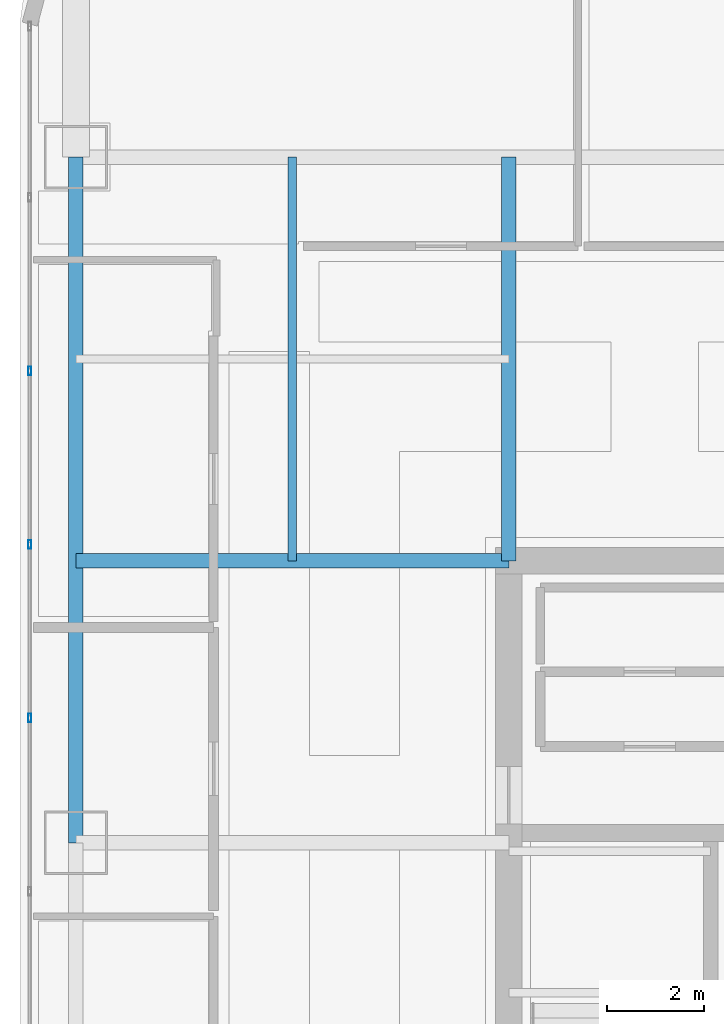
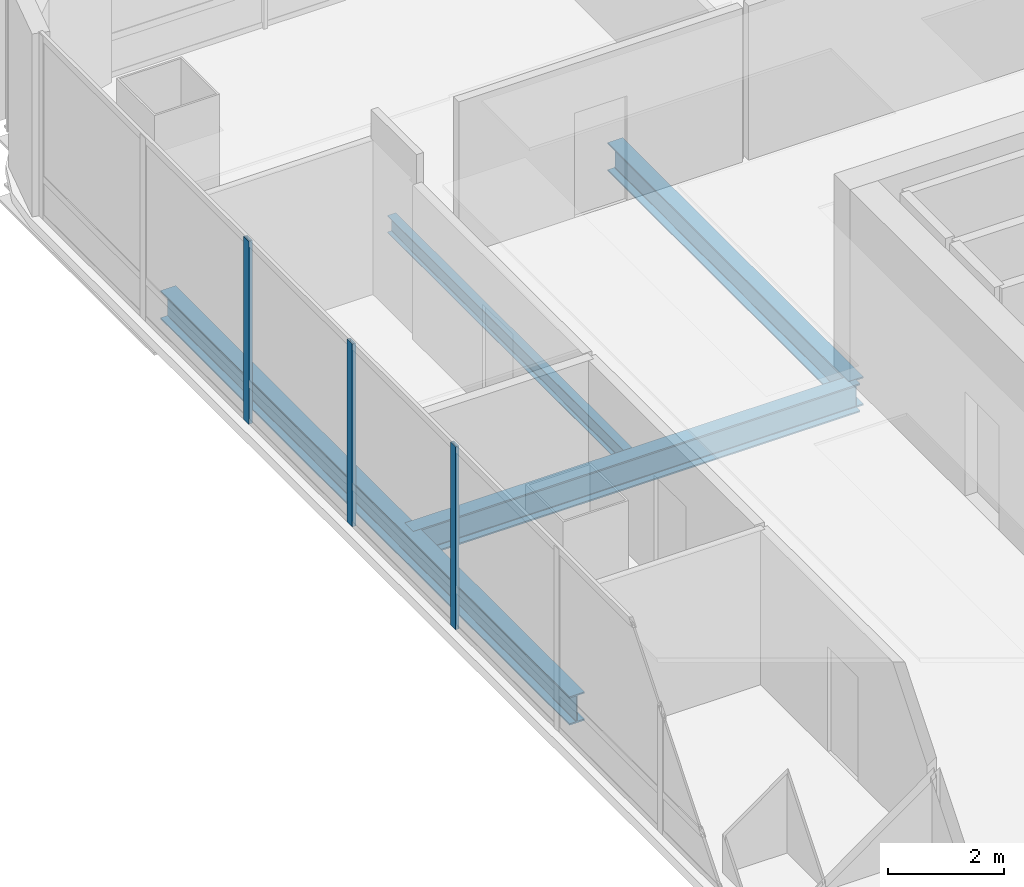
# One storey, part 10 of 44: 4 beams, 3 members, 1 element without a shape of its own.
"""IFC4 building model written with IfcOpenShell, lengths in metres."""

from ifc_helpers import new_model, si_unit, direction, frame, origin, origin_2d, place, context, subcontext, project, spatial, hollow_rectangle, i_section, extrude, material, material_profile, profile_set, type_object, element, aggregate, save


model = new_model("IFC4")

# Units and contexts
model_context = context("Model", 3, precision=1e-05, world=origin(), true_north=direction((0.0, 1.0)))
body_context = subcontext(model_context, "Body", "Model", "MODEL_VIEW")
ifc_project = project(units=[si_unit("LENGTHUNIT", "METRE"), si_unit("AREAUNIT", "SQUARE_METRE"), si_unit("VOLUMEUNIT", "CUBIC_METRE"), si_unit("PLANEANGLEUNIT", "RADIAN"), si_unit("MASSUNIT", "GRAM", prefix="KILO")], contexts=[model_context])

# Site, building, storey
site_placement = place(None, origin())
site = spatial("IfcSite", under=ifc_project, at=site_placement, CompositionType="ELEMENT")
building_placement = place(site_placement, origin())
building = spatial("IfcBuilding", under=site, at=building_placement, Name="Punatoya Terracotta Tower", CompositionType="ELEMENT")
storey_placement = place(building_placement, frame((0.0, 0.0, 267.60009765625)))
storey = spatial("IfcBuildingStorey", under=building, at=storey_placement, Name="L63", CompositionType="ELEMENT", Elevation=267.60009765625)

# Beams
ifc_material_1 = material(Name="Steel S355", Category="steel")
ifc_material_profile_1 = material_profile(ifc_material_1, i_section(OverallWidth=0.300048828125, OverallDepth=0.60009765625, WebThickness=0.015380859375, FlangeThickness=0.030029296875, FilletRadius=0.01806640625, at=origin_2d()))
ifc_profile_set_1 = profile_set([ifc_material_profile_1], Name="Steel S355")
beam_type_1 = type_object("IfcBeamType", Name="BM-PRI-600", PredefinedType="BEAM", material=ifc_profile_set_1)
beam_1_placement = place(storey_placement, frame((-19.10009765625, 3.39990234375, -0.5), z_axis=(0.0, 1.0, 0.0), x_axis=(-1.0, 0.0, 0.0)))
element("IfcBeam", 1, at=beam_1_placement, inside=storey, type_object=beam_type_1, Name="BM-L63-RG-W3", PredefinedType="BEAM", context=body_context, shape_type="SweptSolid", body=[
    extrude(i_section(OverallWidth=0.300048828125, OverallDepth=0.60009765625, WebThickness=0.015380859375, FlangeThickness=0.030029296875, FilletRadius=0.01806640625, at=origin_2d()), origin(), (0.0, 0.0, 1.0), 14.10009765625),
])
beam_2_placement = place(storey_placement, frame((-19.10009765625, 9.199951171875, -0.5), z_axis=(1.0, 0.0, 0.0), x_axis=(0.0, 1.0, 0.0)))
element("IfcBeam", 2, at=beam_2_placement, inside=storey, type_object=beam_type_1, Name="BM-L63-PR-WN", PredefinedType="BEAM", context=body_context, shape_type="SweptSolid", body=[
    extrude(i_section(OverallWidth=0.300048828125, OverallDepth=0.60009765625, WebThickness=0.015380859375, FlangeThickness=0.030029296875, FilletRadius=0.01806640625, at=origin_2d()), origin(), (0.0, 0.0, 1.0), 8.900146484375),
])
beam_3_placement = place(storey_placement, frame((-10.199951171875, 9.199951171875, -0.5), z_axis=(0.0, 1.0, 0.0), x_axis=(-1.0, 0.0, 0.0)))
element("IfcBeam", 3, at=beam_3_placement, inside=storey, type_object=beam_type_1, Name="BM-L63-PR-N1", PredefinedType="BEAM", context=body_context, shape_type="SweptSolid", body=[
    extrude(i_section(OverallWidth=0.300048828125, OverallDepth=0.60009765625, WebThickness=0.015380859375, FlangeThickness=0.030029296875, FilletRadius=0.01806640625, at=origin_2d()), origin(), (0.0, 0.0, 1.0), 8.300048828125),
])
ifc_material_profile_2 = material_profile(ifc_material_1, i_section(OverallWidth=0.169921875, OverallDepth=0.360107421875, WebThickness=0.008056640625, FlangeThickness=0.0126953125, FilletRadius=0.01806640625, at=origin_2d()))
ifc_profile_set_2 = profile_set([ifc_material_profile_2], Name="Steel S355")
beam_type_2 = type_object("IfcBeamType", Name="BM-SEC-360", PredefinedType="JOIST", material=ifc_profile_set_2)
beam_4_placement = place(storey_placement, frame((-14.64990234375, 9.199951171875, -0.380126953125), z_axis=(0.0, 1.0, 0.0), x_axis=(-1.0, 0.0, 0.0)))
element("IfcBeam", 4, at=beam_4_placement, inside=storey, type_object=beam_type_2, Name="BM-L63-SJW-2", PredefinedType="JOIST", context=body_context, shape_type="SweptSolid", body=[
    extrude(i_section(OverallWidth=0.169921875, OverallDepth=0.360107421875, WebThickness=0.008056640625, FlangeThickness=0.0126953125, FilletRadius=0.01806640625, at=origin_2d()), origin(), (0.0, 0.0, 1.0), 8.300048828125),
])

# Curtain wall, members
ifc_material_2 = material(Name="Aluminium 6063-T6 + Double Low-E Glass", Category="aluminium")
curtain_wall_type = type_object("IfcCurtainWallType", Name="CW-M3", PredefinedType="NOTDEFINED", material=ifc_material_2)
curtain_wall_placement = place(storey_placement, origin())
curtain_wall = element("IfcCurtainWall", 5, at=curtain_wall_placement, inside=storey, type_object=curtain_wall_type, Name="L63 Curtain Wall CW-L63-W13-1", PredefinedType="NOTDEFINED")
ifc_material_3 = material(Name="Aluminium 6063-T6", Category="aluminium")
ifc_material_profile_3 = material_profile(ifc_material_3, hollow_rectangle(XDim=0.070068359375, YDim=0.179931640625, WallThickness=0.00390625, at=origin_2d()))
ifc_profile_set_3 = profile_set([ifc_material_profile_3], Name="Aluminium 6063-T6")
member_type = type_object("IfcMemberType", Name="CW-MUL-M3", PredefinedType="MULLION", material=ifc_profile_set_3)
member_1_placement = place(storey_placement, frame((-20.050048828125, 13.10205078125, 0.0), z_axis=(0.0, 0.0, 1.0), x_axis=(1.0, 0.0, 0.0)))
member_1 = element("IfcMember", 6, at=member_1_placement, type_object=member_type, Name="CW-L63-W13-1 Mullion 02", PredefinedType="MULLION", context=body_context, shape_type="SweptSolid", body=[
    extrude(hollow_rectangle(XDim=0.070068359375, YDim=0.179931640625, WallThickness=0.00390625, at=origin_2d()), origin(), (0.0, 0.0, 1.0), 3.849853515625),
])
member_2_placement = place(storey_placement, frame((-20.050048828125, 9.534912109375, 0.0), z_axis=(0.0, 0.0, 1.0), x_axis=(1.0, 0.0, 0.0)))
member_2 = element("IfcMember", 7, at=member_2_placement, type_object=member_type, Name="CW-L63-W13-1 Mullion 03", PredefinedType="MULLION", context=body_context, shape_type="SweptSolid", body=[
    extrude(hollow_rectangle(XDim=0.070068359375, YDim=0.179931640625, WallThickness=0.00390625, at=origin_2d()), origin(), (0.0, 0.0, 1.0), 3.849853515625),
])
member_3_placement = place(storey_placement, frame((-20.050048828125, 5.96728515625, 0.0), z_axis=(0.0, 0.0, 1.0), x_axis=(1.0, 0.0, 0.0)))
member_3 = element("IfcMember", 8, at=member_3_placement, type_object=member_type, Name="CW-L63-W13-1 Mullion 04", PredefinedType="MULLION", context=body_context, shape_type="SweptSolid", body=[
    extrude(hollow_rectangle(XDim=0.070068359375, YDim=0.179931640625, WallThickness=0.00390625, at=origin_2d()), origin(), (0.0, 0.0, 1.0), 3.849853515625),
])
aggregate(curtain_wall, [member_1, member_2, member_3])

save(model, "model.ifc")
